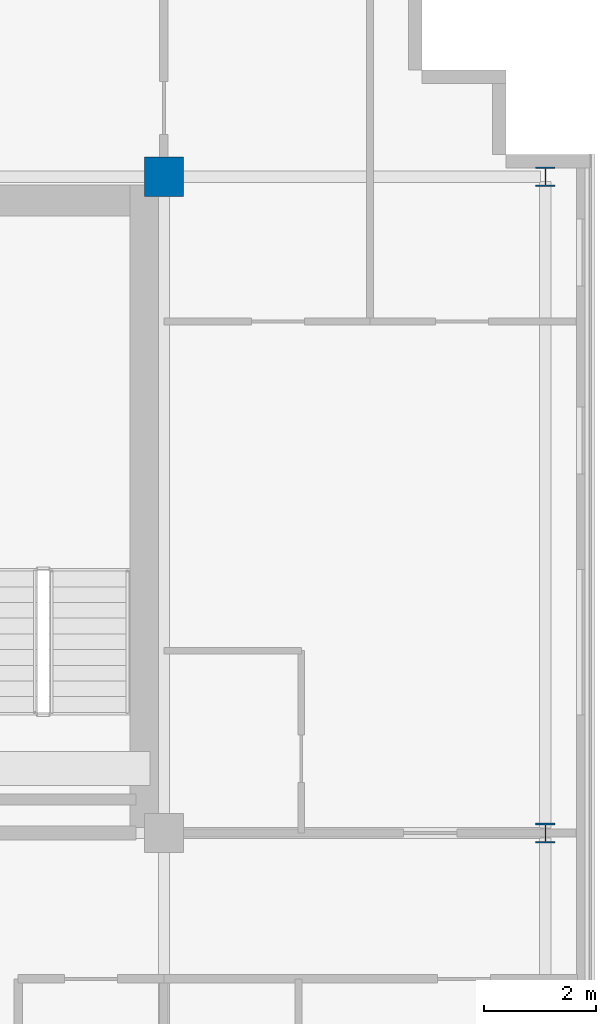
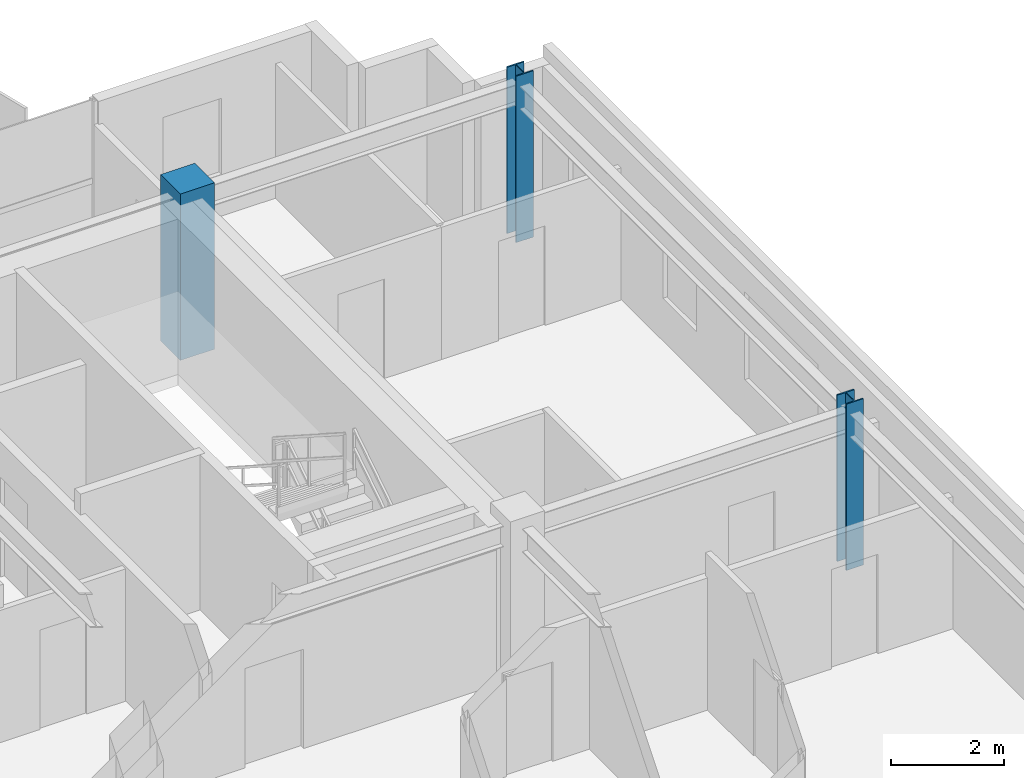
# One storey, part 4 of 23: 3 columns.
"""IFC4 building model written with IfcOpenShell, lengths in metres."""

from ifc_helpers import new_model, si_unit, direction, frame, origin, origin_2d, place, context, subcontext, project, spatial, rectangle, i_section, extrude, source, transform, mapped, material, material_profile, profile_set, type_object, element, save


model = new_model("IFC4")

# Units and contexts
model_context = context("Model", 3, precision=1e-05, world=origin(), true_north=direction((0.0, 1.0)))
body_context = subcontext(model_context, "Body", "Model", "MODEL_VIEW")
ifc_project = project(units=[si_unit("LENGTHUNIT", "METRE"), si_unit("AREAUNIT", "SQUARE_METRE"), si_unit("VOLUMEUNIT", "CUBIC_METRE"), si_unit("PLANEANGLEUNIT", "RADIAN"), si_unit("MASSUNIT", "GRAM", prefix="KILO")], contexts=[model_context])

# Site, building, storey
site_placement = place(None, origin())
site = spatial("IfcSite", under=ifc_project, at=site_placement, CompositionType="ELEMENT")
building_placement = place(site_placement, origin())
building = spatial("IfcBuilding", under=site, at=building_placement, Name="Trelvane Seafront Commons", CompositionType="ELEMENT")
storey_placement = place(building_placement, frame((0.0, 0.0, 208.5)))
storey = spatial("IfcBuildingStorey", under=building, at=storey_placement, Name="L54", CompositionType="ELEMENT", Elevation=208.5)

# Columns
ifc_material_1 = material(Name="Concrete C50/60", Category="concrete")
ifc_material_profile_1 = material_profile(ifc_material_1, rectangle(XDim=0.699951171875, YDim=0.699951171875, at=origin_2d()), Name="RC-700x700")
ifc_profile_set_1 = profile_set([ifc_material_profile_1], Name="Concrete C50/60")
column_type_1 = type_object("IfcColumnType", Name="STR-COL-RC700", PredefinedType="COLUMN", material=ifc_profile_set_1)
shared_shape_1 = source(origin(), body_context, "Body", "SweptSolid", [
    extrude(rectangle(XDim=0.699951171875, YDim=0.699951171875, at=origin_2d()), origin(), (0.0, 0.0, 1.0), 3.60009765625),
])
column_placement = place(storey_placement, frame((58.800048828125, 45.10009765625, 0.0), z_axis=(0.0, 0.0, 1.0), x_axis=(1.0, 0.0, 0.0)))
element("IfcColumn", 1, at=column_placement, inside=storey, type_object=column_type_1, Name="L54 Column TC-CN58.8", PredefinedType="COLUMN", context=body_context, shape_type="MappedRepresentation", body=[
    mapped(shared_shape_1, transform((0.0, 0.0, 0.0), x_axis=(1.0, 0.0, 0.0), y_axis=(0.0, 1.0, 0.0), z_axis=(0.0, 0.0, 1.0), scale=1.0)),
])
ifc_material_2 = material(Name="Steel SM355 (S355)", Category="steel")
ifc_material_profile_2 = material_profile(ifc_material_2, i_section(OverallWidth=0.35009765625, OverallDepth=0.35009765625, WebThickness=0.01806640625, FlangeThickness=0.028076171875, at=origin_2d()), Name="HD-350x350x18x28")
ifc_profile_set_2 = profile_set([ifc_material_profile_2], Name="Steel SM355 (S355)")
column_type_2 = type_object("IfcColumnType", Name="STR-COL-HD350", PredefinedType="COLUMN", material=ifc_profile_set_2)
shared_shape_2 = source(origin(), body_context, "Body", "SweptSolid", [
    extrude(i_section(OverallWidth=0.35009765625, OverallDepth=0.35009765625, WebThickness=0.01806640625, FlangeThickness=0.028076171875, at=origin_2d()), origin(), (0.0, 0.0, 1.0), 3.60009765625),
])
for number, where, z_axis, x_axis, name in (
    (2, (65.60009765625, 33.39990234375, 0.0), (0.0, 0.0, 1.0), (1.0, 0.0, 0.0), "L54 Column TC-CS65.6"),
    (3, (65.60009765625, 45.10009765625, 0.0), (0.0, 0.0, 1.0), (1.0, 0.0, 0.0), "L54 Column TC-CN65.6"),
):
    element("IfcColumn", number, at=place(storey_placement, frame(where, z_axis=z_axis, x_axis=x_axis)), inside=storey, type_object=column_type_2, Name=name, PredefinedType="COLUMN", context=body_context, shape_type="MappedRepresentation", body=[
        mapped(shared_shape_2, transform((0.0, 0.0, 0.0), x_axis=(1.0, 0.0, 0.0), y_axis=(0.0, 1.0, 0.0), z_axis=(0.0, 0.0, 1.0), scale=1.0)),
    ])

save(model, "model.ifc")
